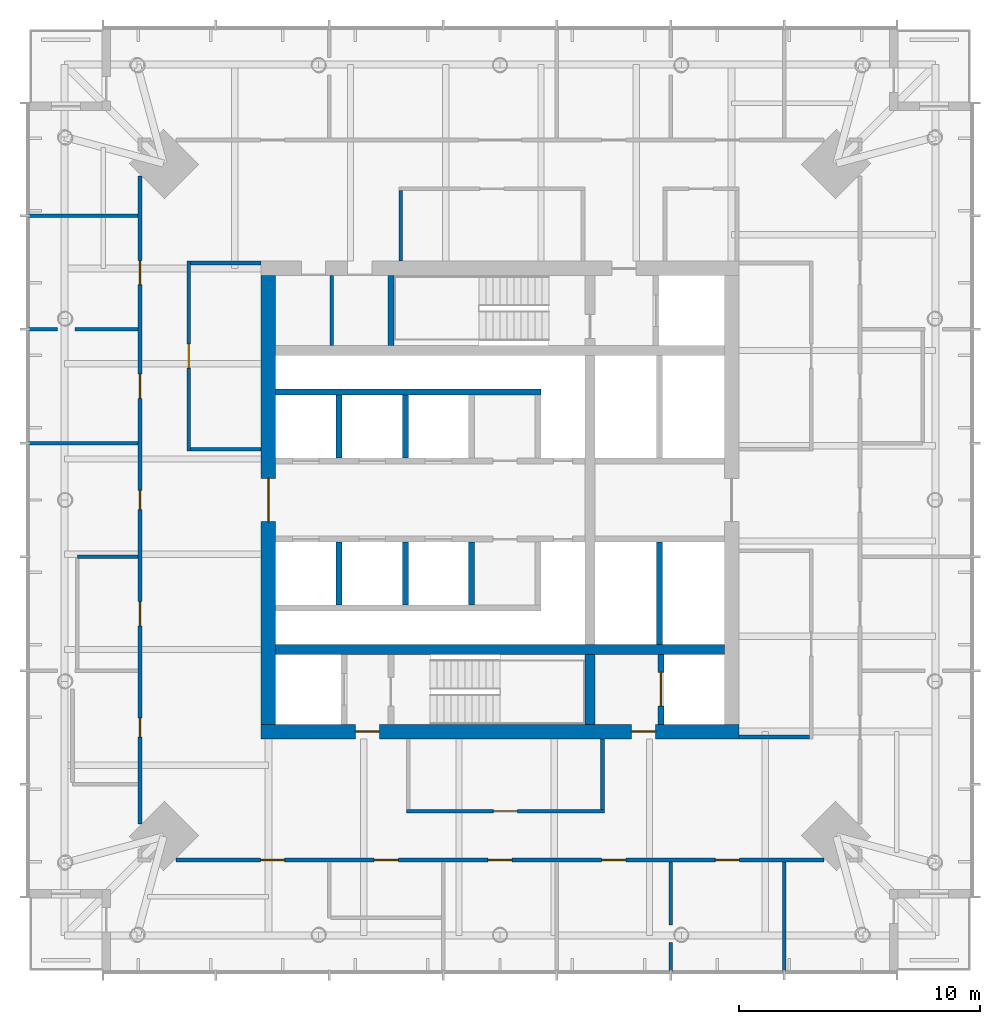
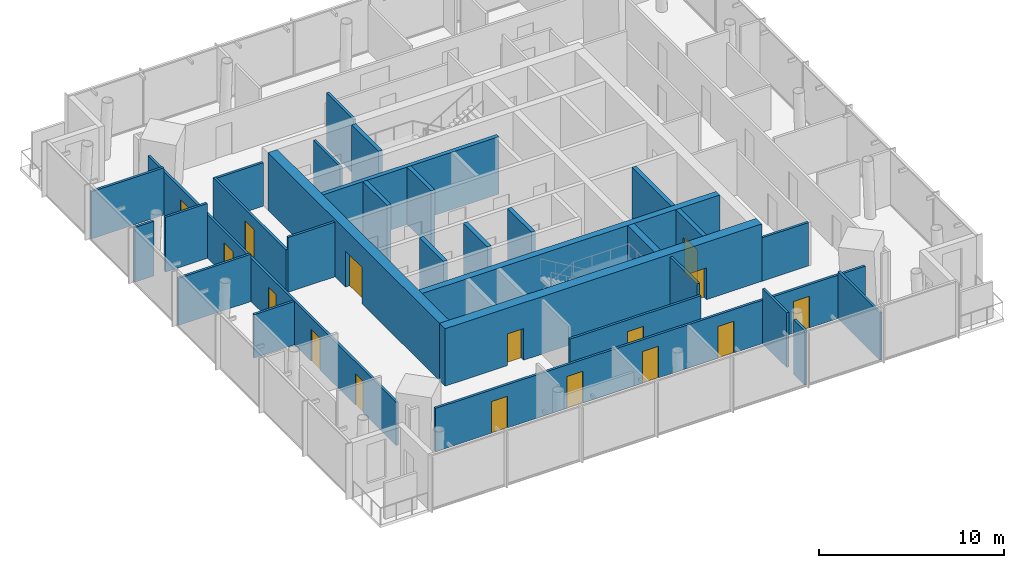
# One storey, part 5 of 9: 31 walls, 16 doors, 16 openings.
"""IFC4 building model written with IfcOpenShell, lengths in metres."""

from ifc_helpers import new_model, si_unit, direction, frame, frame_2d, origin, place, context, subcontext, project, spatial, rectangle, extrude, material, layer, layer_set, type_object, element, fill, save


model = new_model("IFC4")

# Units and contexts
model_context = context("Model", 3, precision=1e-05, world=origin(), true_north=direction((0.0, 1.0)))
body_context = subcontext(model_context, "Body", "Model", "MODEL_VIEW")
ifc_project = project(units=[si_unit("LENGTHUNIT", "METRE"), si_unit("AREAUNIT", "SQUARE_METRE"), si_unit("VOLUMEUNIT", "CUBIC_METRE"), si_unit("PLANEANGLEUNIT", "RADIAN"), si_unit("MASSUNIT", "GRAM", prefix="KILO")], contexts=[model_context])

# Site, building, storey
site_placement = place(None, origin())
site = spatial("IfcSite", under=ifc_project, at=site_placement, CompositionType="ELEMENT")
building_placement = place(site_placement, origin())
building = spatial("IfcBuilding", under=site, at=building_placement, Name="Ostroluk Exchange", CompositionType="ELEMENT")
storey_placement = place(building_placement, frame((0.0, 0.0, 207.199951171875)))
storey = spatial("IfcBuildingStorey", under=building, at=storey_placement, Name="L53", CompositionType="ELEMENT", Elevation=207.199951171875)

# Walls
ifc_material_1 = material(Name="Concrete blockwork", Category="masonry")
ifc_layer_1 = layer(ifc_material_1, 0.14990234375)
ifc_layer_set_1 = layer_set([ifc_layer_1], Name="Blockwork plant room wall 150")
wall_type_1 = type_object("IfcWallType", Name="Blockwork plant room wall 150", PredefinedType="SOLIDWALL", material=ifc_layer_set_1)
wall_1_placement = place(storey_placement, frame((38.02490234375, 52.39990234375, 0.0), z_axis=(0.0, 0.0, 1.0), x_axis=(0.0, 1.0, 0.0)))
element("IfcWall", 1, at=wall_1_placement, inside=storey, type_object=wall_type_1, Name="Core room wall", PredefinedType="SOLIDWALL", context=body_context, shape_type="SweptSolid", body=[
    extrude(rectangle(XDim=2.900146484375, YDim=0.14990234375, at=frame_2d((1.4501953125, 0.0))), origin(), (0.0, 0.0, 1.0), 3.6201171875),
])
ifc_material_2 = material(Name="Concrete C50/60", Category="concrete")
ifc_layer_2 = layer(ifc_material_2, 0.39990234375)
ifc_layer_set_2 = layer_set([ifc_layer_2], Name="Core cross wall 400 C50/60")
wall_type_2 = type_object("IfcWallType", Name="Core cross wall 400 C50/60", PredefinedType="SHEAR", material=ifc_layer_set_2)
wall_2_placement = place(storey_placement, frame((35.699951171875, 39.800048828125, 0.0), z_axis=(0.0, 0.0, 1.0), x_axis=(1.0, 0.0, 0.0)))
element("IfcWall", 2, at=wall_2_placement, inside=storey, type_object=wall_type_2, Name="T1 core wall XS", PredefinedType="SHEAR", context=body_context, shape_type="SweptSolid", body=[
    extrude(rectangle(XDim=18.60009765625, YDim=0.39990234375, at=frame_2d((9.300048828125, 0.0))), origin(), (0.0, 0.0, 1.0), 3.800048828125),
])
wall_3_placement = place(storey_placement, frame((48.72998046875, 36.699951171875, 0.0), z_axis=(0.0, 0.0, 1.0), x_axis=(0.0, 1.0, 0.0)))
element("IfcWall", 3, at=wall_3_placement, inside=storey, type_object=wall_type_2, Name="T1 core wall YE1", PredefinedType="SHEAR", context=body_context, shape_type="SweptSolid", body=[
    extrude(rectangle(XDim=2.900146484375, YDim=0.39990234375, at=frame_2d((1.4501953125, 0.0))), origin(), (0.0, 0.0, 1.0), 3.800048828125),
])

# Wall, opening, door
ifc_material_3 = material(Name="Concrete C40/50", Category="concrete")
ifc_layer_3 = layer(ifc_material_3, 0.25)
ifc_layer_set_3 = layer_set([ifc_layer_3], Name="Core shaft wall 250")
wall_type_3 = type_object("IfcWallType", Name="Core shaft wall 250", PredefinedType="SHEAR", material=ifc_layer_set_3)
wall_4_placement = place(storey_placement, frame((51.675048828125, 36.699951171875, 0.0), z_axis=(0.0, 0.0, 1.0), x_axis=(0.0, 1.0, 0.0)))
wall_4 = element("IfcWall", 4, at=wall_4_placement, inside=storey, type_object=wall_type_3, Name="Service lift shaft wall", PredefinedType="SHEAR", context=body_context, shape_type="SweptSolid", body=[
    extrude(rectangle(XDim=2.900146484375, YDim=0.25, at=frame_2d((1.4501953125, 0.0))), origin(), (0.0, 0.0, 1.0), 3.800048828125),
])
opening_1_placement = place(wall_4_placement, frame((0.75, 0.0, 0.0)))
opening_1 = element("IfcOpeningElement", 5, at=opening_1_placement, cuts=wall_4, Name="Opening LD3", PredefinedType="OPENING", context=body_context, shape_type="SweptSolid", body=[
    extrude(rectangle(XDim=1.39990234375, YDim=2.39990234375, at=frame_2d((0.699951171875, 1.199951171875))), frame((0.0, 0.135009765625, 0.0), z_axis=(0.0, -1.0, 0.0), x_axis=(1.0, 0.0, 0.0)), (0.0, 0.0, 1.0), 0.27001953125),
])
ifc_material_4 = material(Name="Stainless steel", Category="steel")
door_type_1 = type_object("IfcDoorType", Name="Goods lift landing door E 60 1400 x 2400", OperationType="DOUBLE_DOOR_SLIDING", PredefinedType="DOOR", material=ifc_material_4)
door_1_placement = place(opening_1_placement, origin())
door_1 = element("IfcDoor", 6, at=door_1_placement, inside=storey, type_object=door_type_1, Name="Lift SL1 landing door", OperationType="DOUBLE_DOOR_SLIDING", OverallHeight=2.39990234375, OverallWidth=1.39990234375, PredefinedType="DOOR", context=body_context, shape_type="SweptSolid", body=[
    extrude(rectangle(XDim=1.39990234375, YDim=2.39990234375, at=frame_2d((0.699951171875, 1.199951171875))), frame((0.0, 0.02490234375, 0.0), z_axis=(0.0, -1.0, 0.0), x_axis=(1.0, 0.0, 0.0)), (0.0, 0.0, 1.0), 0.050048828125),
])
fill(opening_1, door_1)

# Walls
wall_5_placement = place(storey_placement, frame((40.47509765625, 52.39990234375, 0.0), z_axis=(0.0, 0.0, 1.0), x_axis=(0.0, 1.0, 0.0)))
element("IfcWall", 7, at=wall_5_placement, inside=storey, type_object=wall_type_3, Name="Stair shaft wall", PredefinedType="SHEAR", context=body_context, shape_type="SweptSolid", body=[
    extrude(rectangle(XDim=2.900146484375, YDim=0.25, at=frame_2d((1.4501953125, 0.0))), origin(), (0.0, 0.0, 1.0), 3.800048828125),
])
for number, where, z_axis, x_axis, name in (
    (8, (38.324951171875, 47.75, 0.0), (0.0, 0.0, 1.0), (0.0, 1.0, 0.0), "Lift shaft wall"),
    (9, (41.074951171875, 47.75, 0.0), (0.0, 0.0, 1.0), (0.0, 1.0, 0.0), "Lift shaft wall"),
):
    element("IfcWall", number, at=place(storey_placement, frame(where, z_axis=z_axis, x_axis=x_axis)), inside=storey, type_object=wall_type_3, Name=name, PredefinedType="SHEAR", context=body_context, shape_type="SweptSolid", body=[
        extrude(rectangle(XDim=2.60009765625, YDim=0.25, at=frame_2d((1.300048828125, 0.0))), origin(), (0.0, 0.0, 1.0), 3.800048828125),
    ])
wall_6_placement = place(storey_placement, frame((35.699951171875, 50.47509765625, 0.0), z_axis=(0.0, 0.0, 1.0), x_axis=(1.0, 0.0, 0.0)))
element("IfcWall", 10, at=wall_6_placement, inside=storey, type_object=wall_type_3, Name="Lift shaft wall", PredefinedType="SHEAR", context=body_context, shape_type="SweptSolid", body=[
    extrude(rectangle(XDim=11.0, YDim=0.25, at=frame_2d((5.5, 0.0))), origin(), (0.0, 0.0, 1.0), 3.800048828125),
])
for number, where, z_axis, x_axis, name in (
    (11, (38.324951171875, 44.25, 0.0), (0.0, 0.0, 1.0), (0.0, -1.0, 0.0), "Lift shaft wall"),
    (12, (41.074951171875, 44.25, 0.0), (0.0, 0.0, 1.0), (0.0, -1.0, 0.0), "Lift shaft wall"),
    (13, (43.824951171875, 44.25, 0.0), (0.0, 0.0, 1.0), (0.0, -1.0, 0.0), "Lift shaft wall"),
):
    element("IfcWall", number, at=place(storey_placement, frame(where, z_axis=z_axis, x_axis=x_axis)), inside=storey, type_object=wall_type_3, Name=name, PredefinedType="SHEAR", context=body_context, shape_type="SweptSolid", body=[
        extrude(rectangle(XDim=2.60009765625, YDim=0.25, at=frame_2d((1.300048828125, 0.0))), origin(), (0.0, 0.0, 1.0), 3.800048828125),
    ])
wall_7_placement = place(storey_placement, frame((51.614990234375, 44.25, 0.0), z_axis=(0.0, 0.0, 1.0), x_axis=(0.0, -1.0, 0.0)))
element("IfcWall", 14, at=wall_7_placement, inside=storey, type_object=wall_type_3, Name="Lift shaft wall", PredefinedType="SHEAR", context=body_context, shape_type="SweptSolid", body=[
    extrude(rectangle(XDim=4.25, YDim=0.25, at=frame_2d((2.125, 0.0))), origin(), (0.0, 0.0, 1.0), 3.800048828125),
])

# Wall, openings, doors
ifc_material_5 = material(Name="Concrete C50/60", Category="concrete")
ifc_layer_4 = layer(ifc_material_5, 0.60009765625)
ifc_layer_set_4 = layer_set([ifc_layer_4], Name="Core wall 600 C50/60")
wall_type_4 = type_object("IfcWallType", Name="Core wall 600 C50/60", PredefinedType="SHEAR", material=ifc_layer_set_4)
wall_8_placement = place(storey_placement, frame((35.10009765625, 36.39990234375, 0.0), z_axis=(0.0, 0.0, 1.0), x_axis=(1.0, 0.0, 0.0)))
wall_8 = element("IfcWall", 15, at=wall_8_placement, inside=storey, type_object=wall_type_4, Name="T1 core wall S", PredefinedType="SHEAR", context=body_context, shape_type="SweptSolid", body=[
    extrude(rectangle(XDim=19.7998046875, YDim=0.60009765625, at=frame_2d((9.89990234375, 0.0))), origin(), (0.0, 0.0, 1.0), 3.800048828125),
])
opening_2_placement = place(wall_8_placement, frame((3.89990234375, 0.0, 0.0)))
opening_2 = element("IfcOpeningElement", 16, at=opening_2_placement, cuts=wall_8, Name="Opening FD60", PredefinedType="OPENING", context=body_context, shape_type="SweptSolid", body=[
    extrude(rectangle(XDim=1.0, YDim=2.10009765625, at=frame_2d((0.5, 1.050048828125))), frame((0.0, 0.31005859375, 0.0), z_axis=(0.0, -1.0, 0.0), x_axis=(1.0, 0.0, 0.0)), (0.0, 0.0, 1.0), 0.6201171875),
])
opening_3_placement = place(wall_8_placement, frame((15.35009765625, 0.0, 0.0)))
opening_3 = element("IfcOpeningElement", 17, at=opening_3_placement, cuts=wall_8, Name="Opening FD60", PredefinedType="OPENING", context=body_context, shape_type="SweptSolid", body=[
    extrude(rectangle(XDim=1.0, YDim=2.10009765625, at=frame_2d((0.5, 1.050048828125))), frame((0.0, 0.31005859375, 0.0), z_axis=(0.0, -1.0, 0.0), x_axis=(1.0, 0.0, 0.0)), (0.0, 0.0, 1.0), 0.6201171875),
])
ifc_material_6 = material(Name="Steel", Category="steel")
door_type_2 = type_object("IfcDoorType", Name="Fire door EI 60 1000 x 2100", OperationType="SINGLE_SWING_LEFT", PredefinedType="DOOR", material=ifc_material_6)
door_2_placement = place(opening_2_placement, origin())
door_2 = element("IfcDoor", 18, at=door_2_placement, inside=storey, type_object=door_type_2, Name="Firefighting lobby door", OperationType="SINGLE_SWING_LEFT", OverallHeight=2.10009765625, OverallWidth=1.0, PredefinedType="DOOR", context=body_context, shape_type="SweptSolid", body=[
    extrude(rectangle(XDim=1.0, YDim=2.10009765625, at=frame_2d((0.5, 1.050048828125))), frame((0.0, 0.02490234375, 0.0), z_axis=(0.0, -1.0, 0.0), x_axis=(1.0, 0.0, 0.0)), (0.0, 0.0, 1.0), 0.050048828125),
])
fill(opening_2, door_2)
door_3_placement = place(opening_3_placement, origin())
door_3 = element("IfcDoor", 19, at=door_3_placement, inside=storey, type_object=door_type_2, Name="Service lobby door", OperationType="SINGLE_SWING_RIGHT", OverallHeight=2.10009765625, OverallWidth=1.0, PredefinedType="DOOR", context=body_context, shape_type="SweptSolid", body=[
    extrude(rectangle(XDim=1.0, YDim=2.10009765625, at=frame_2d((0.5, 1.050048828125))), frame((0.0, 0.02490234375, 0.0), z_axis=(0.0, -1.0, 0.0), x_axis=(1.0, 0.0, 0.0)), (0.0, 0.0, 1.0), 0.050048828125),
])
fill(opening_3, door_3)

# Wall, opening, door
wall_9_placement = place(storey_placement, frame((35.39990234375, 36.699951171875, 0.0), z_axis=(0.0, 0.0, 1.0), x_axis=(0.0, 1.0, 0.0)))
wall_9 = element("IfcWall", 20, at=wall_9_placement, inside=storey, type_object=wall_type_4, Name="T1 core wall W", PredefinedType="SHEAR", context=body_context, shape_type="SweptSolid", body=[
    extrude(rectangle(XDim=18.60009765625, YDim=0.60009765625, at=frame_2d((9.300048828125, 0.0))), origin(), (0.0, 0.0, 1.0), 3.800048828125),
])
opening_4_placement = place(wall_9_placement, frame((8.39990234375, 0.0, 0.0)))
opening_4 = element("IfcOpeningElement", 21, at=opening_4_placement, cuts=wall_9, Name="Opening FD30D", PredefinedType="OPENING", context=body_context, shape_type="SweptSolid", body=[
    extrude(rectangle(XDim=1.800048828125, YDim=2.39990234375, at=frame_2d((0.89990234375, 1.199951171875))), frame((0.0, 0.31005859375, 0.0), z_axis=(0.0, -1.0, 0.0), x_axis=(1.0, 0.0, 0.0)), (0.0, 0.0, 1.0), 0.6201171875),
])
ifc_material_7 = material(Name="Timber", Category="wood")
door_type_3 = type_object("IfcDoorType", Name="Lobby double door EI 30 1800 x 2400", OperationType="DOUBLE_DOOR_SINGLE_SWING", PredefinedType="DOOR", material=ifc_material_7)
door_4_placement = place(opening_4_placement, origin())
door_4 = element("IfcDoor", 22, at=door_4_placement, inside=storey, type_object=door_type_3, Name="Lift lobby doors", OperationType="DOUBLE_DOOR_SINGLE_SWING", OverallHeight=2.39990234375, OverallWidth=1.800048828125, PredefinedType="DOOR", context=body_context, shape_type="SweptSolid", body=[
    extrude(rectangle(XDim=1.800048828125, YDim=2.39990234375, at=frame_2d((0.89990234375, 1.199951171875))), frame((0.0, 0.02490234375, 0.0), z_axis=(0.0, -1.0, 0.0), x_axis=(1.0, 0.0, 0.0)), (0.0, 0.0, 1.0), 0.050048828125),
])
fill(opening_4, door_4)

# Walls
ifc_material_8 = material(Name="Gypsum plasterboard partition", Category="gypsum")
ifc_layer_5 = layer(ifc_material_8, 0.14990234375)
ifc_layer_set_5 = layer_set([ifc_layer_5], Name="Plasterboard partition 150")
wall_type_5 = type_object("IfcWallType", Name="Plasterboard partition 150", PredefinedType="PARTITIONING", material=ifc_layer_set_5)
wall_10_placement = place(storey_placement, frame((54.89990234375, 36.175048828125, 0.0), z_axis=(0.0, 0.0, 1.0), x_axis=(1.0, 0.0, 0.0)))
element("IfcWall", 23, at=wall_10_placement, inside=storey, type_object=wall_type_5, Name="Partition", PredefinedType="PARTITIONING", context=body_context, shape_type="SweptSolid", body=[
    extrude(rectangle(XDim=2.925048828125, YDim=0.14990234375, at=frame_2d((1.46240234375, 0.0))), origin(), (0.0, 0.0, 1.0), 2.866943359375),
])
wall_11_placement = place(storey_placement, frame((40.887451171875, 55.89990234375, 0.0), z_axis=(0.0, 0.0, 1.0), x_axis=(0.0, 1.0, 0.0)))
element("IfcWall", 24, at=wall_11_placement, inside=storey, type_object=wall_type_5, Name="Partition", PredefinedType="PARTITIONING", context=body_context, shape_type="SweptSolid", body=[
    extrude(rectangle(XDim=2.925048828125, YDim=0.14990234375, at=frame_2d((1.46240234375, 0.0))), origin(), (0.0, 0.0, 1.0), 3.6201171875),
])

# Wall, opening, door
wall_12_placement = place(storey_placement, frame((32.10009765625, 55.89990234375, 0.0), z_axis=(0.0, 0.0, 1.0), x_axis=(0.0, -1.0, 0.0)))
wall_12 = element("IfcWall", 25, at=wall_12_placement, inside=storey, type_object=wall_type_5, Name="Partition", PredefinedType="PARTITIONING", context=body_context, shape_type="SweptSolid", body=[
    extrude(rectangle(XDim=7.875, YDim=0.14990234375, at=frame_2d((3.9375, 0.0))), origin(), (0.0, 0.0, 1.0), 2.866943359375),
])
opening_5_placement = place(wall_12_placement, frame((3.4375, 0.0, 0.0)))
opening_5 = element("IfcOpeningElement", 26, at=opening_5_placement, cuts=wall_12, Name="Opening D-03", PredefinedType="OPENING", context=body_context, shape_type="SweptSolid", body=[
    extrude(rectangle(XDim=1.0, YDim=2.10009765625, at=frame_2d((0.5, 1.050048828125))), frame((0.0, 0.0849609375, 0.0), z_axis=(0.0, -1.0, 0.0), x_axis=(1.0, 0.0, 0.0)), (0.0, 0.0, 1.0), 0.169921875),
])
ifc_material_9 = material(Name="Timber", Category="wood")
door_type_4 = type_object("IfcDoorType", Name="Internal door 1000 x 2100", OperationType="SINGLE_SWING_LEFT", PredefinedType="DOOR", material=ifc_material_9)
door_5_placement = place(opening_5_placement, origin())
door_5 = element("IfcDoor", 27, at=door_5_placement, inside=storey, type_object=door_type_4, Name="Meeting room door", OperationType="SINGLE_SWING_LEFT", OverallHeight=2.10009765625, OverallWidth=1.0, PredefinedType="DOOR", context=body_context, shape_type="SweptSolid", body=[
    extrude(rectangle(XDim=1.0, YDim=2.10009765625, at=frame_2d((0.5, 1.050048828125))), frame((0.0, 0.02490234375, 0.0), z_axis=(0.0, -1.0, 0.0), x_axis=(1.0, 0.0, 0.0)), (0.0, 0.0, 1.0), 0.050048828125),
])
fill(opening_5, door_5)

# Walls
wall_13_placement = place(storey_placement, frame((35.10009765625, 55.824951171875, 0.0), z_axis=(0.0, 0.0, 1.0), x_axis=(-1.0, 0.0, 0.0)))
element("IfcWall", 28, at=wall_13_placement, inside=storey, type_object=wall_type_5, Name="Partition", PredefinedType="PARTITIONING", context=body_context, shape_type="SweptSolid", body=[
    extrude(rectangle(XDim=2.925048828125, YDim=0.14990234375, at=frame_2d((1.46240234375, 0.0))), origin(), (0.0, 0.0, 1.0), 2.866943359375),
])
wall_14_placement = place(storey_placement, frame((35.10009765625, 48.10009765625, 0.0), z_axis=(0.0, 0.0, 1.0), x_axis=(-1.0, 0.0, 0.0)))
element("IfcWall", 29, at=wall_14_placement, inside=storey, type_object=wall_type_5, Name="Partition", PredefinedType="PARTITIONING", context=body_context, shape_type="SweptSolid", body=[
    extrude(rectangle(XDim=2.925048828125, YDim=0.14990234375, at=frame_2d((1.46240234375, 0.0))), origin(), (0.0, 0.0, 1.0), 3.6201171875),
])

# Wall, opening, door
wall_15_placement = place(storey_placement, frame((41.125, 33.10009765625, 0.0), z_axis=(0.0, 0.0, 1.0), x_axis=(1.0, 0.0, 0.0)))
wall_15 = element("IfcWall", 30, at=wall_15_placement, inside=storey, type_object=wall_type_5, Name="Partition", PredefinedType="PARTITIONING", context=body_context, shape_type="SweptSolid", body=[
    extrude(rectangle(XDim=8.199951171875, YDim=0.14990234375, at=frame_2d((4.10009765625, 0.0))), origin(), (0.0, 0.0, 1.0), 2.866943359375),
])
opening_6_placement = place(wall_15_placement, frame((3.60009765625, 0.0, 0.0)))
opening_6 = element("IfcOpeningElement", 31, at=opening_6_placement, cuts=wall_15, Name="Opening D-03", PredefinedType="OPENING", context=body_context, shape_type="SweptSolid", body=[
    extrude(rectangle(XDim=1.0, YDim=2.10009765625, at=frame_2d((0.5, 1.050048828125))), frame((0.0, 0.0849609375, 0.0), z_axis=(0.0, -1.0, 0.0), x_axis=(1.0, 0.0, 0.0)), (0.0, 0.0, 1.0), 0.169921875),
])
door_6_placement = place(opening_6_placement, origin())
door_6 = element("IfcDoor", 32, at=door_6_placement, inside=storey, type_object=door_type_4, Name="Meeting room door", OperationType="SINGLE_SWING_LEFT", OverallHeight=2.10009765625, OverallWidth=1.0, PredefinedType="DOOR", context=body_context, shape_type="SweptSolid", body=[
    extrude(rectangle(XDim=1.0, YDim=2.10009765625, at=frame_2d((0.5, 1.050048828125))), frame((0.0, 0.02490234375, 0.0), z_axis=(0.0, -1.0, 0.0), x_axis=(1.0, 0.0, 0.0)), (0.0, 0.0, 1.0), 0.050048828125),
])
fill(opening_6, door_6)

# Wall
wall_16_placement = place(storey_placement, frame((49.25, 36.10009765625, 0.0), z_axis=(0.0, 0.0, 1.0), x_axis=(0.0, -1.0, 0.0)))
element("IfcWall", 33, at=wall_16_placement, inside=storey, type_object=wall_type_5, Name="Partition", PredefinedType="PARTITIONING", context=body_context, shape_type="SweptSolid", body=[
    extrude(rectangle(XDim=2.925048828125, YDim=0.14990234375, at=frame_2d((1.46240234375, 0.0))), origin(), (0.0, 0.0, 1.0), 3.6201171875),
])

# Wall, openings, doors
wall_17_placement = place(storey_placement, frame((30.074951171875, 59.435791015625, 0.0), z_axis=(0.0, 0.0, 1.0), x_axis=(0.0, -1.0, 0.0)))
wall_17 = element("IfcWall", 34, at=wall_17_placement, inside=storey, type_object=wall_type_5, Name="Partition", PredefinedType="PARTITIONING", context=body_context, shape_type="SweptSolid", body=[
    extrude(rectangle(XDim=26.87158203125, YDim=0.14990234375, at=frame_2d((13.435791015625, 0.0))), origin(), (0.0, 0.0, 1.0), 2.866943359375),
])
opening_7_placement = place(wall_17_placement, frame((3.50732421875, 0.0, 0.0)))
opening_7 = element("IfcOpeningElement", 35, at=opening_7_placement, cuts=wall_17, Name="Opening D-03", PredefinedType="OPENING", context=body_context, shape_type="SweptSolid", body=[
    extrude(rectangle(XDim=1.0, YDim=2.10009765625, at=frame_2d((0.5, 1.050048828125))), frame((0.0, 0.0849609375, 0.0), z_axis=(0.0, -1.0, 0.0), x_axis=(1.0, 0.0, 0.0)), (0.0, 0.0, 1.0), 0.169921875),
])
opening_8_placement = place(wall_17_placement, frame((8.221435546875, 0.0, 0.0)))
opening_8 = element("IfcOpeningElement", 36, at=opening_8_placement, cuts=wall_17, Name="Opening D-03", PredefinedType="OPENING", context=body_context, shape_type="SweptSolid", body=[
    extrude(rectangle(XDim=1.0, YDim=2.10009765625, at=frame_2d((0.5, 1.050048828125))), frame((0.0, 0.0849609375, 0.0), z_axis=(0.0, -1.0, 0.0), x_axis=(1.0, 0.0, 0.0)), (0.0, 0.0, 1.0), 0.169921875),
])
opening_9_placement = place(wall_17_placement, frame((13.035888671875, 0.0, 0.0)))
opening_9 = element("IfcOpeningElement", 37, at=opening_9_placement, cuts=wall_17, Name="Opening D-06", PredefinedType="OPENING", context=body_context, shape_type="SweptSolid", body=[
    extrude(rectangle(XDim=0.800048828125, YDim=2.10009765625, at=frame_2d((0.39990234375, 1.050048828125))), frame((0.0, 0.0849609375, 0.0), z_axis=(0.0, -1.0, 0.0), x_axis=(1.0, 0.0, 0.0)), (0.0, 0.0, 1.0), 0.169921875),
])
opening_10_placement = place(wall_17_placement, frame((17.650146484375, 0.0, 0.0)))
opening_10 = element("IfcOpeningElement", 38, at=opening_10_placement, cuts=wall_17, Name="Opening D-03", PredefinedType="OPENING", context=body_context, shape_type="SweptSolid", body=[
    extrude(rectangle(XDim=1.0, YDim=2.10009765625, at=frame_2d((0.5, 1.050048828125))), frame((0.0, 0.0849609375, 0.0), z_axis=(0.0, -1.0, 0.0), x_axis=(1.0, 0.0, 0.0)), (0.0, 0.0, 1.0), 0.169921875),
])
opening_11_placement = place(wall_17_placement, frame((22.46435546875, 0.0, 0.0)))
opening_11 = element("IfcOpeningElement", 39, at=opening_11_placement, cuts=wall_17, Name="Opening D-06", PredefinedType="OPENING", context=body_context, shape_type="SweptSolid", body=[
    extrude(rectangle(XDim=0.800048828125, YDim=2.10009765625, at=frame_2d((0.39990234375, 1.050048828125))), frame((0.0, 0.0849609375, 0.0), z_axis=(0.0, -1.0, 0.0), x_axis=(1.0, 0.0, 0.0)), (0.0, 0.0, 1.0), 0.169921875),
])
door_7_placement = place(opening_7_placement, origin())
door_7 = element("IfcDoor", 40, at=door_7_placement, inside=storey, type_object=door_type_4, Name="Office door", OperationType="SINGLE_SWING_LEFT", OverallHeight=2.10009765625, OverallWidth=1.0, PredefinedType="DOOR", context=body_context, shape_type="SweptSolid", body=[
    extrude(rectangle(XDim=1.0, YDim=2.10009765625, at=frame_2d((0.5, 1.050048828125))), frame((0.0, 0.02490234375, 0.0), z_axis=(0.0, -1.0, 0.0), x_axis=(1.0, 0.0, 0.0)), (0.0, 0.0, 1.0), 0.050048828125),
])
fill(opening_7, door_7)
door_8_placement = place(opening_8_placement, origin())
door_8 = element("IfcDoor", 41, at=door_8_placement, inside=storey, type_object=door_type_4, Name="Meeting room door", OperationType="SINGLE_SWING_LEFT", OverallHeight=2.10009765625, OverallWidth=1.0, PredefinedType="DOOR", context=body_context, shape_type="SweptSolid", body=[
    extrude(rectangle(XDim=1.0, YDim=2.10009765625, at=frame_2d((0.5, 1.050048828125))), frame((0.0, 0.02490234375, 0.0), z_axis=(0.0, -1.0, 0.0), x_axis=(1.0, 0.0, 0.0)), (0.0, 0.0, 1.0), 0.050048828125),
])
fill(opening_8, door_8)
door_9_placement = place(opening_10_placement, origin())
door_9 = element("IfcDoor", 42, at=door_9_placement, inside=storey, type_object=door_type_4, Name="Accessible WC door", OperationType="SINGLE_SWING_RIGHT", OverallHeight=2.10009765625, OverallWidth=1.0, PredefinedType="DOOR", context=body_context, shape_type="SweptSolid", body=[
    extrude(rectangle(XDim=1.0, YDim=2.10009765625, at=frame_2d((0.5, 1.050048828125))), frame((0.0, 0.02490234375, 0.0), z_axis=(0.0, -1.0, 0.0), x_axis=(1.0, 0.0, 0.0)), (0.0, 0.0, 1.0), 0.050048828125),
])
fill(opening_10, door_9)
ifc_material_10 = material(Name="Timber", Category="wood")
door_type_5 = type_object("IfcDoorType", Name="Toilet door 800 x 2100", OperationType="SINGLE_SWING_LEFT", PredefinedType="DOOR", material=ifc_material_10)
door_10_placement = place(opening_9_placement, origin())
door_10 = element("IfcDoor", 43, at=door_10_placement, inside=storey, type_object=door_type_5, Name="WC female door", OperationType="SINGLE_SWING_LEFT", OverallHeight=2.10009765625, OverallWidth=0.800048828125, PredefinedType="DOOR", context=body_context, shape_type="SweptSolid", body=[
    extrude(rectangle(XDim=0.800048828125, YDim=2.10009765625, at=frame_2d((0.39990234375, 1.050048828125))), frame((0.0, 0.02490234375, 0.0), z_axis=(0.0, -1.0, 0.0), x_axis=(1.0, 0.0, 0.0)), (0.0, 0.0, 1.0), 0.050048828125),
])
fill(opening_9, door_10)
door_11_placement = place(opening_11_placement, origin())
door_11 = element("IfcDoor", 44, at=door_11_placement, inside=storey, type_object=door_type_5, Name="WC male door", OperationType="SINGLE_SWING_RIGHT", OverallHeight=2.10009765625, OverallWidth=0.800048828125, PredefinedType="DOOR", context=body_context, shape_type="SweptSolid", body=[
    extrude(rectangle(XDim=0.800048828125, YDim=2.10009765625, at=frame_2d((0.39990234375, 1.050048828125))), frame((0.0, 0.02490234375, 0.0), z_axis=(0.0, -1.0, 0.0), x_axis=(1.0, 0.0, 0.0)), (0.0, 0.0, 1.0), 0.050048828125),
])
fill(opening_11, door_11)

# Walls
wall_18_placement = place(storey_placement, frame((30.0, 57.78564453125, 0.0), z_axis=(0.0, 0.0, 1.0), x_axis=(-1.0, 0.0, 0.0)))
element("IfcWall", 45, at=wall_18_placement, inside=storey, type_object=wall_type_5, Name="Partition", PredefinedType="PARTITIONING", context=body_context, shape_type="SweptSolid", body=[
    extrude(rectangle(XDim=4.5400390625, YDim=0.14990234375, at=frame_2d((2.27001953125, 0.0))), origin(), (0.0, 0.0, 1.0), 3.1201171875),
])
wall_19_placement = place(storey_placement, frame((30.0, 53.071533203125, 0.0), z_axis=(0.0, 0.0, 1.0), x_axis=(-1.0, 0.0, 0.0)))
element("IfcWall", 46, at=wall_19_placement, inside=storey, type_object=wall_type_5, Name="Partition", PredefinedType="PARTITIONING", context=body_context, shape_type="SweptSolid", body=[
    extrude(rectangle(XDim=2.62353515625, YDim=0.14990234375, at=frame_2d((1.311767578125, 0.0))), origin(), (0.0, 0.0, 1.0), 3.6201171875),
])
wall_20_placement = place(storey_placement, frame((26.64501953125, 53.071533203125, 0.0), z_axis=(0.0, 0.0, 1.0), x_axis=(-1.0, 0.0, 0.0)))
element("IfcWall", 47, at=wall_20_placement, inside=storey, type_object=wall_type_5, Name="Partition", PredefinedType="PARTITIONING", context=body_context, shape_type="SweptSolid", body=[
    extrude(rectangle(XDim=1.18505859375, YDim=0.14990234375, at=frame_2d((0.592529296875, 0.0))), origin(), (0.0, 0.0, 1.0), 3.6201171875),
])
wall_21_placement = place(storey_placement, frame((30.0, 48.357177734375, 0.0), z_axis=(0.0, 0.0, 1.0), x_axis=(-1.0, 0.0, 0.0)))
element("IfcWall", 48, at=wall_21_placement, inside=storey, type_object=wall_type_5, Name="Partition", PredefinedType="PARTITIONING", context=body_context, shape_type="SweptSolid", body=[
    extrude(rectangle(XDim=4.5400390625, YDim=0.14990234375, at=frame_2d((2.27001953125, 0.0))), origin(), (0.0, 0.0, 1.0), 3.1201171875),
])
wall_22_placement = place(storey_placement, frame((30.0, 43.642822265625, 0.0), z_axis=(0.0, 0.0, 1.0), x_axis=(-1.0, 0.0, 0.0)))
element("IfcWall", 49, at=wall_22_placement, inside=storey, type_object=wall_type_5, Name="Partition", PredefinedType="PARTITIONING", context=body_context, shape_type="SweptSolid", body=[
    extrude(rectangle(XDim=2.52490234375, YDim=0.14990234375, at=frame_2d((1.262451171875, 0.0))), origin(), (0.0, 0.0, 1.0), 2.866943359375),
])

# Wall, openings, doors
wall_23_placement = place(storey_placement, frame((31.564208984375, 31.074951171875, 0.0), z_axis=(0.0, 0.0, 1.0), x_axis=(1.0, 0.0, 0.0)))
wall_23 = element("IfcWall", 50, at=wall_23_placement, inside=storey, type_object=wall_type_5, Name="Partition", PredefinedType="PARTITIONING", context=body_context, shape_type="SweptSolid", body=[
    extrude(rectangle(XDim=26.87158203125, YDim=0.14990234375, at=frame_2d((13.435791015625, 0.0))), origin(), (0.0, 0.0, 1.0), 2.866943359375),
])
opening_12_placement = place(wall_23_placement, frame((3.50732421875, 0.0, 0.0)))
opening_12 = element("IfcOpeningElement", 51, at=opening_12_placement, cuts=wall_23, Name="Opening D-03", PredefinedType="OPENING", context=body_context, shape_type="SweptSolid", body=[
    extrude(rectangle(XDim=1.0, YDim=2.10009765625, at=frame_2d((0.5, 1.050048828125))), frame((0.0, 0.0849609375, 0.0), z_axis=(0.0, -1.0, 0.0), x_axis=(1.0, 0.0, 0.0)), (0.0, 0.0, 1.0), 0.169921875),
])
opening_13_placement = place(wall_23_placement, frame((8.221435546875, 0.0, 0.0)))
opening_13 = element("IfcOpeningElement", 52, at=opening_13_placement, cuts=wall_23, Name="Opening D-03", PredefinedType="OPENING", context=body_context, shape_type="SweptSolid", body=[
    extrude(rectangle(XDim=1.0, YDim=2.10009765625, at=frame_2d((0.5, 1.050048828125))), frame((0.0, 0.0849609375, 0.0), z_axis=(0.0, -1.0, 0.0), x_axis=(1.0, 0.0, 0.0)), (0.0, 0.0, 1.0), 0.169921875),
])
opening_14_placement = place(wall_23_placement, frame((12.935791015625, 0.0, 0.0)))
opening_14 = element("IfcOpeningElement", 53, at=opening_14_placement, cuts=wall_23, Name="Opening D-03", PredefinedType="OPENING", context=body_context, shape_type="SweptSolid", body=[
    extrude(rectangle(XDim=1.0, YDim=2.10009765625, at=frame_2d((0.5, 1.050048828125))), frame((0.0, 0.0849609375, 0.0), z_axis=(0.0, -1.0, 0.0), x_axis=(1.0, 0.0, 0.0)), (0.0, 0.0, 1.0), 0.169921875),
])
opening_15_placement = place(wall_23_placement, frame((17.650146484375, 0.0, 0.0)))
opening_15 = element("IfcOpeningElement", 54, at=opening_15_placement, cuts=wall_23, Name="Opening D-03", PredefinedType="OPENING", context=body_context, shape_type="SweptSolid", body=[
    extrude(rectangle(XDim=1.0, YDim=2.10009765625, at=frame_2d((0.5, 1.050048828125))), frame((0.0, 0.0849609375, 0.0), z_axis=(0.0, -1.0, 0.0), x_axis=(1.0, 0.0, 0.0)), (0.0, 0.0, 1.0), 0.169921875),
])
opening_16_placement = place(wall_23_placement, frame((22.3642578125, 0.0, 0.0)))
opening_16 = element("IfcOpeningElement", 55, at=opening_16_placement, cuts=wall_23, Name="Opening D-03", PredefinedType="OPENING", context=body_context, shape_type="SweptSolid", body=[
    extrude(rectangle(XDim=1.0, YDim=2.10009765625, at=frame_2d((0.5, 1.050048828125))), frame((0.0, 0.0849609375, 0.0), z_axis=(0.0, -1.0, 0.0), x_axis=(1.0, 0.0, 0.0)), (0.0, 0.0, 1.0), 0.169921875),
])
door_12_placement = place(opening_12_placement, origin())
door_12 = element("IfcDoor", 56, at=door_12_placement, inside=storey, type_object=door_type_4, Name="Office suite door", OperationType="SINGLE_SWING_LEFT", OverallHeight=2.10009765625, OverallWidth=1.0, PredefinedType="DOOR", context=body_context, shape_type="SweptSolid", body=[
    extrude(rectangle(XDim=1.0, YDim=2.10009765625, at=frame_2d((0.5, 1.050048828125))), frame((0.0, 0.02490234375, 0.0), z_axis=(0.0, -1.0, 0.0), x_axis=(1.0, 0.0, 0.0)), (0.0, 0.0, 1.0), 0.050048828125),
])
fill(opening_12, door_12)
door_13_placement = place(opening_13_placement, origin())
door_13 = element("IfcDoor", 57, at=door_13_placement, inside=storey, type_object=door_type_4, Name="Print and store room door", OperationType="SINGLE_SWING_LEFT", OverallHeight=2.10009765625, OverallWidth=1.0, PredefinedType="DOOR", context=body_context, shape_type="SweptSolid", body=[
    extrude(rectangle(XDim=1.0, YDim=2.10009765625, at=frame_2d((0.5, 1.050048828125))), frame((0.0, 0.02490234375, 0.0), z_axis=(0.0, -1.0, 0.0), x_axis=(1.0, 0.0, 0.0)), (0.0, 0.0, 1.0), 0.050048828125),
])
fill(opening_13, door_13)
door_14_placement = place(opening_14_placement, origin())
door_14 = element("IfcDoor", 58, at=door_14_placement, inside=storey, type_object=door_type_4, Name="Office door", OperationType="SINGLE_SWING_LEFT", OverallHeight=2.10009765625, OverallWidth=1.0, PredefinedType="DOOR", context=body_context, shape_type="SweptSolid", body=[
    extrude(rectangle(XDim=1.0, YDim=2.10009765625, at=frame_2d((0.5, 1.050048828125))), frame((0.0, 0.02490234375, 0.0), z_axis=(0.0, -1.0, 0.0), x_axis=(1.0, 0.0, 0.0)), (0.0, 0.0, 1.0), 0.050048828125),
])
fill(opening_14, door_14)
door_15_placement = place(opening_15_placement, origin())
door_15 = element("IfcDoor", 59, at=door_15_placement, inside=storey, type_object=door_type_4, Name="Meeting room door", OperationType="SINGLE_SWING_RIGHT", OverallHeight=2.10009765625, OverallWidth=1.0, PredefinedType="DOOR", context=body_context, shape_type="SweptSolid", body=[
    extrude(rectangle(XDim=1.0, YDim=2.10009765625, at=frame_2d((0.5, 1.050048828125))), frame((0.0, 0.02490234375, 0.0), z_axis=(0.0, -1.0, 0.0), x_axis=(1.0, 0.0, 0.0)), (0.0, 0.0, 1.0), 0.050048828125),
])
fill(opening_15, door_15)
door_16_placement = place(opening_16_placement, origin())
door_16 = element("IfcDoor", 60, at=door_16_placement, inside=storey, type_object=door_type_4, Name="Office door", OperationType="SINGLE_SWING_RIGHT", OverallHeight=2.10009765625, OverallWidth=1.0, PredefinedType="DOOR", context=body_context, shape_type="SweptSolid", body=[
    extrude(rectangle(XDim=1.0, YDim=2.10009765625, at=frame_2d((0.5, 1.050048828125))), frame((0.0, 0.02490234375, 0.0), z_axis=(0.0, -1.0, 0.0), x_axis=(1.0, 0.0, 0.0)), (0.0, 0.0, 1.0), 0.050048828125),
])
fill(opening_16, door_16)

# Walls
wall_24_placement = place(storey_placement, frame((52.071533203125, 31.0, 0.0), z_axis=(0.0, 0.0, 1.0), x_axis=(0.0, -1.0, 0.0)))
element("IfcWall", 61, at=wall_24_placement, inside=storey, type_object=wall_type_5, Name="Partition", PredefinedType="PARTITIONING", context=body_context, shape_type="SweptSolid", body=[
    extrude(rectangle(XDim=2.62353515625, YDim=0.14990234375, at=frame_2d((1.311767578125, 0.0))), origin(), (0.0, 0.0, 1.0), 3.6201171875),
])
wall_25_placement = place(storey_placement, frame((52.071533203125, 27.64501953125, 0.0), z_axis=(0.0, 0.0, 1.0), x_axis=(0.0, -1.0, 0.0)))
element("IfcWall", 62, at=wall_25_placement, inside=storey, type_object=wall_type_5, Name="Partition", PredefinedType="PARTITIONING", context=body_context, shape_type="SweptSolid", body=[
    extrude(rectangle(XDim=1.18505859375, YDim=0.14990234375, at=frame_2d((0.592529296875, 0.0))), origin(), (0.0, 0.0, 1.0), 3.6201171875),
])
wall_26_placement = place(storey_placement, frame((56.78564453125, 31.0, 0.0), z_axis=(0.0, 0.0, 1.0), x_axis=(0.0, -1.0, 0.0)))
element("IfcWall", 63, at=wall_26_placement, inside=storey, type_object=wall_type_5, Name="Partition", PredefinedType="PARTITIONING", context=body_context, shape_type="SweptSolid", body=[
    extrude(rectangle(XDim=4.5400390625, YDim=0.14990234375, at=frame_2d((2.27001953125, 0.0))), origin(), (0.0, 0.0, 1.0), 3.1201171875),
])

save(model, "model.ifc")
